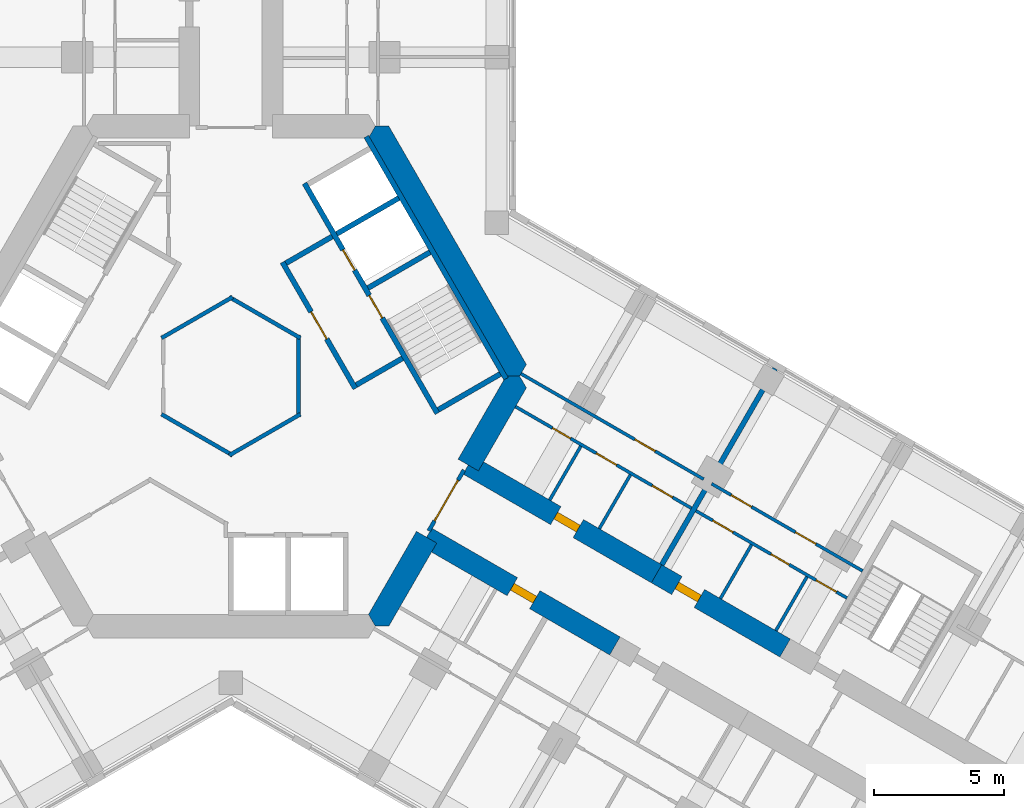
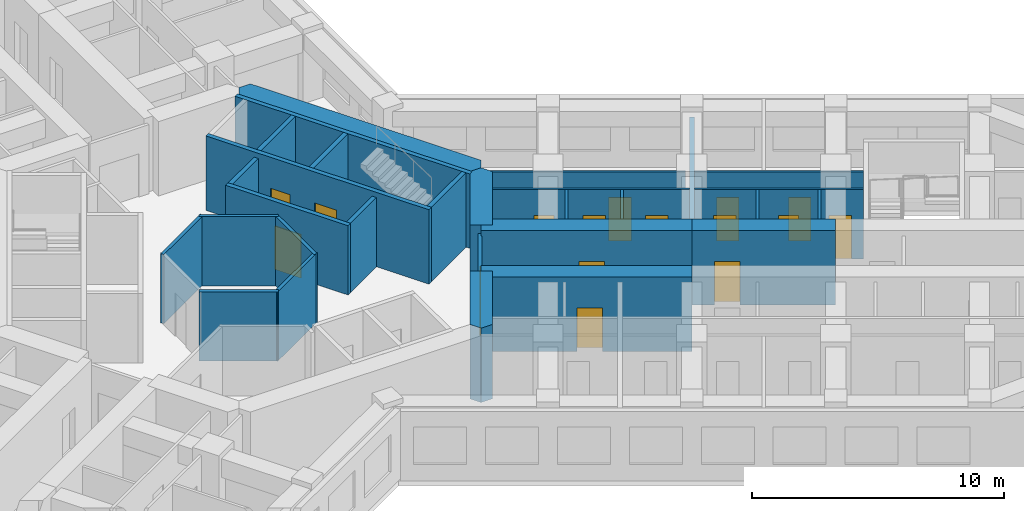
# One storey, part 15 of 19: 29 walls, 16 doors, 16 openings.
"""IFC4 building model written with IfcOpenShell, lengths in metres."""

from ifc_helpers import new_model, si_unit, direction, frame, frame_2d, origin, place, context, subcontext, project, spatial, polyline, rectangle, outline, extrude, material, layer, layer_set, type_object, element, fill, save


model = new_model("IFC4")

# Units and contexts
model_context = context("Model", 3, precision=1e-05, world=origin(), true_north=direction((0.0, 1.0)))
body_context = subcontext(model_context, "Body", "Model", "MODEL_VIEW")
ifc_project = project(units=[si_unit("LENGTHUNIT", "METRE"), si_unit("AREAUNIT", "SQUARE_METRE"), si_unit("VOLUMEUNIT", "CUBIC_METRE"), si_unit("PLANEANGLEUNIT", "RADIAN"), si_unit("MASSUNIT", "GRAM", prefix="KILO")], contexts=[model_context])

# Site, building, storey
site_placement = place(None, origin())
site = spatial("IfcSite", under=ifc_project, at=site_placement, CompositionType="ELEMENT")
building_placement = place(site_placement, origin())
building = spatial("IfcBuilding", under=site, at=building_placement, Name="Kosmar Iwan School Tower", CompositionType="ELEMENT")
storey_placement = place(building_placement, frame((0.0, 0.0, 165.199951171875)))
storey = spatial("IfcBuildingStorey", under=building, at=storey_placement, Name="L41", CompositionType="ELEMENT", Elevation=165.199951171875)

# Walls
ifc_material_1 = material(Name="Gypsum board on steel studs, fire-rated", Category="steel")
ifc_layer_1 = layer(ifc_material_1, 0.14990234375)
ifc_layer_set_1 = layer_set([ifc_layer_1], Name="Core room partition 150")
wall_type_1 = type_object("IfcWallType", Name="Core room partition 150", PredefinedType="PARTITIONING", material=ifc_layer_set_1)
for number, where, z_axis, x_axis, name in (
    (1, (2.6650390625, -1.463623046875, 0.0), (0.0, 0.0, 1.0), (-0.866023080072, -0.500004024767, 0.0), "Core room partition L41-CW8"),
    (2, (0.06494140625, -3.039794921875, 0.0), (0.0, 0.0, 1.0), (-0.866023080072, 0.500004024767, 0.0), "Core room partition L41-CW9"),
    (3, (-2.6650390625, 1.463623046875, 0.0), (0.0, 0.0, 1.0), (0.866023080072, 0.500004024767, 0.0), "Core room partition L41-CW11"),
    (4, (-0.06494140625, 3.039794921875, 0.0), (0.0, 0.0, 1.0), (0.866023080072, -0.500004024767, 0.0), "Core room partition L41-CW12"),
    (5, (2.60009765625, 1.576171875, 0.0), (0.0, 0.0, 1.0), (0.0, -1.0, 0.0), "Core room partition L41-CW13"),
):
    element("IfcWall", number, at=place(storey_placement, frame(where, z_axis=z_axis, x_axis=x_axis)), inside=storey, type_object=wall_type_1, Name=name, PredefinedType="PARTITIONING", context=body_context, shape_type="SweptSolid", body=[
        extrude(rectangle(XDim=3.15234375, YDim=0.14990234375, at=frame_2d((1.576171875, 0.0))), origin(), (0.0, 0.0, 1.0), 3.35009765625),
    ])
ifc_material_2 = material(Name="Concrete C50/60", Category="concrete")
ifc_layer_2 = layer(ifc_material_2, 0.89990234375)
ifc_layer_set_2 = layer_set([ifc_layer_2], Name="Core wall 900")
wall_type_2 = type_object("IfcWallType", Name="Core wall 900", PredefinedType="SHEAR", material=ifc_layer_set_2)
wall_1_placement = place(storey_placement, origin())
element("IfcWall", 6, at=wall_1_placement, inside=storey, type_object=wall_type_2, Name="Core wall F030", PredefinedType="SHEAR", context=body_context, shape_type="SweptSolid", body=[
    extrude(outline(polyline([(10.5654296875, 0.0), (11.085205078125, 0.0), (11.344970703125, 0.449951171875), (6.062255859375, 9.60009765625), (5.54248046875, 9.60009765625), (5.28271484375, 9.14990234375), (10.5654296875, 0.0)])), origin(), (0.0, 0.0, 1.0), 3.60009765625),
])
wall_2_placement = place(storey_placement, origin())
element("IfcWall", 7, at=wall_2_placement, inside=storey, type_object=wall_type_2, Name="Core wall F330a", PredefinedType="SHEAR", context=body_context, shape_type="SweptSolid", body=[
    extrude(outline(polyline([(5.54248046875, -9.60009765625), (6.062255859375, -9.60009765625), (7.903564453125, -6.41064453125), (7.1240234375, -5.960693359375), (5.28271484375, -9.14990234375), (5.54248046875, -9.60009765625)])), origin(), (0.0, 0.0, 1.0), 3.60009765625),
])
wall_3_placement = place(storey_placement, origin())
element("IfcWall", 8, at=wall_3_placement, inside=storey, type_object=wall_type_2, Name="Core wall F330b", PredefinedType="SHEAR", context=body_context, shape_type="SweptSolid", body=[
    extrude(outline(polyline([(9.503662109375, -3.639404296875), (11.344970703125, -0.449951171875), (11.085205078125, 0.0), (10.5654296875, 0.0), (8.72412109375, -3.189453125), (9.503662109375, -3.639404296875)])), origin(), (0.0, 0.0, 1.0), 3.60009765625),
])

# Wall, opening, door
ifc_material_3 = material(Name="Concrete C50/60", Category="concrete")
ifc_layer_3 = layer(ifc_material_3, 0.800048828125)
ifc_layer_set_3 = layer_set([ifc_layer_3], Name="Corridor buttress wall 800")
wall_type_3 = type_object("IfcWallType", Name="Corridor buttress wall 800", PredefinedType="SHEAR", material=ifc_layer_set_3)
wall_4_placement = place(storey_placement, frame((9.11376953125, -3.414306640625, 0.0), z_axis=(0.0, 0.0, 1.0), x_axis=(0.866026859388, -0.499997478812, 0.0)))
wall_4 = element("IfcWall", 9, at=wall_4_placement, inside=storey, type_object=wall_type_3, Name="Corridor wall CL", PredefinedType="SHEAR", context=body_context, shape_type="SweptSolid", body=[
    extrude(rectangle(XDim=8.35009765625, YDim=0.800048828125, at=frame_2d((4.175048828125, 0.0))), origin(), (0.0, 0.0, 1.0), 3.60009765625),
])
opening_1_placement = place(wall_4_placement, frame((3.8798828125, 0.0, 0.0)))
opening_1 = element("IfcOpeningElement", 10, at=opening_1_placement, cuts=wall_4, Name="Opening D1", PredefinedType="OPENING", context=body_context, shape_type="SweptSolid", body=[
    extrude(rectangle(XDim=1.0, YDim=2.10009765625, at=frame_2d((0.5, 1.050048828125))), frame((0.0, 0.412109375, 0.0), z_axis=(0.0, -1.0, 0.0), x_axis=(1.0, 0.0, 0.0)), (0.0, 0.0, 1.0), 0.823974609375),
])
ifc_material_4 = material(Name="Timber fire door in steel frame", Category="steel")
door_type_1 = type_object("IfcDoorType", Name="Flat entrance door 1000x2100", OperationType="SINGLE_SWING_LEFT", PredefinedType="DOOR", material=ifc_material_4)
door_1_placement = place(opening_1_placement, origin())
door_1 = element("IfcDoor", 11, at=door_1_placement, inside=storey, type_object=door_type_1, Name="Flat L41-CL1 entrance door", OperationType="SINGLE_SWING_LEFT", OverallHeight=2.10009765625, OverallWidth=1.0, PredefinedType="DOOR", context=body_context, shape_type="SweptSolid", body=[
    extrude(rectangle(XDim=1.0, YDim=2.10009765625, at=frame_2d((0.5, 1.050048828125))), frame((0.0, 0.14990234375, 0.0), z_axis=(0.0, -1.0, 0.0), x_axis=(1.0, 0.0, 0.0)), (0.0, 0.0, 1.0), 0.300048828125),
])
fill(opening_1, door_1)

wall_5_placement = place(storey_placement, frame((16.34521484375, -7.58935546875, 0.0), z_axis=(0.0, 0.0, 1.0), x_axis=(0.866015111908, -0.50001782563, 0.0)))
wall_5 = element("IfcWall", 12, at=wall_5_placement, inside=storey, type_object=wall_type_3, Name="Corridor wall CL bay 2", PredefinedType="SHEAR", context=body_context, shape_type="SweptSolid", body=[
    extrude(rectangle(XDim=5.699951171875, YDim=0.800048828125, at=frame_2d((2.85009765625, 0.0))), origin(), (0.0, 0.0, 1.0), 3.60009765625),
])
opening_2_placement = place(wall_5_placement, frame((0.89990234375, 0.0, 0.0)))
opening_2 = element("IfcOpeningElement", 13, at=opening_2_placement, cuts=wall_5, Name="Opening D1", PredefinedType="OPENING", context=body_context, shape_type="SweptSolid", body=[
    extrude(rectangle(XDim=1.0, YDim=2.10009765625, at=frame_2d((0.5, 1.050048828125))), frame((0.0, 0.412109375, 0.0), z_axis=(0.0, -1.0, 0.0), x_axis=(1.0, 0.0, 0.0)), (0.0, 0.0, 1.0), 0.823974609375),
])
door_2_placement = place(opening_2_placement, origin())
door_2 = element("IfcDoor", 14, at=door_2_placement, inside=storey, type_object=door_type_1, Name="Flat L41-CL2 entrance door", OperationType="SINGLE_SWING_RIGHT", OverallHeight=2.10009765625, OverallWidth=1.0, PredefinedType="DOOR", context=body_context, shape_type="SweptSolid", body=[
    extrude(rectangle(XDim=1.0, YDim=2.10009765625, at=frame_2d((0.5, 1.050048828125))), frame((0.0, 0.14990234375, 0.0), z_axis=(0.0, -1.0, 0.0), x_axis=(1.0, 0.0, 0.0)), (0.0, 0.0, 1.0), 0.300048828125),
])
fill(opening_2, door_2)

wall_6_placement = place(storey_placement, frame((7.513916015625, -6.185546875, 0.0), z_axis=(0.0, 0.0, 1.0), x_axis=(0.866019549707, -0.500010139422, 0.0)))
wall_6 = element("IfcWall", 15, at=wall_6_placement, inside=storey, type_object=wall_type_3, Name="Corridor wall CR", PredefinedType="SHEAR", context=body_context, shape_type="SweptSolid", body=[
    extrude(rectangle(XDim=8.349853515625, YDim=0.800048828125, at=frame_2d((4.1748046875, 0.0))), origin(), (0.0, 0.0, 1.0), 3.60009765625),
])
opening_3_placement = place(wall_6_placement, frame((3.800048828125, 0.0, 0.0)))
opening_3 = element("IfcOpeningElement", 16, at=opening_3_placement, cuts=wall_6, Name="Opening D1", PredefinedType="OPENING", context=body_context, shape_type="SweptSolid", body=[
    extrude(rectangle(XDim=1.0, YDim=2.10009765625, at=frame_2d((0.5, 1.050048828125))), frame((0.0, 0.412109375, 0.0), z_axis=(0.0, -1.0, 0.0), x_axis=(1.0, 0.0, 0.0)), (0.0, 0.0, 1.0), 0.823974609375),
])
door_3_placement = place(opening_3_placement, origin())
door_3 = element("IfcDoor", 17, at=door_3_placement, inside=storey, type_object=door_type_1, Name="Flat L41-CR1 entrance door", OperationType="SINGLE_SWING_RIGHT", OverallHeight=2.10009765625, OverallWidth=1.0, PredefinedType="DOOR", context=body_context, shape_type="SweptSolid", body=[
    extrude(rectangle(XDim=1.0, YDim=2.10009765625, at=frame_2d((0.5, 1.050048828125))), frame((0.0, 0.14990234375, 0.0), z_axis=(0.0, -1.0, 0.0), x_axis=(1.0, 0.0, 0.0)), (0.0, 0.0, 1.0), 0.300048828125),
])
fill(opening_3, door_3)

ifc_material_5 = material(Name="Steel framed glazed screen", Category="steel")
ifc_layer_4 = layer(ifc_material_5, 0.14990234375)
ifc_layer_set_4 = layer_set([ifc_layer_4], Name="Corridor screen wall 150")
wall_type_4 = type_object("IfcWallType", Name="Corridor screen wall 150", PredefinedType="PARTITIONING", material=ifc_layer_set_4)
wall_7_placement = place(storey_placement, frame((7.595458984375, -5.944091796875, 0.0), z_axis=(0.0, 0.0, 1.0), x_axis=(0.500048589285, 0.86599734893, 0.0)))
wall_7 = element("IfcWall", 18, at=wall_7_placement, inside=storey, type_object=wall_type_4, Name="Corridor screen C L41", PredefinedType="PARTITIONING", context=body_context, shape_type="SweptSolid", body=[
    extrude(rectangle(XDim=2.699951171875, YDim=0.14990234375, at=frame_2d((1.35009765625, 0.0))), origin(), (0.0, 0.0, 1.0), 3.35009765625),
])
opening_4_placement = place(wall_7_placement, frame((0.449951171875, 0.0, 0.0)))
opening_4 = element("IfcOpeningElement", 19, at=opening_4_placement, cuts=wall_7, Name="Opening D9", PredefinedType="OPENING", context=body_context, shape_type="SweptSolid", body=[
    extrude(rectangle(XDim=1.800048828125, YDim=2.10009765625, at=frame_2d((0.89990234375, 1.050048828125))), frame((0.0, 0.0869140625, 0.0), z_axis=(0.0, -1.0, 0.0), x_axis=(1.0, 0.0, 0.0)), (0.0, 0.0, 1.0), 0.173828125),
])
ifc_material_6 = material(Name="Steel framed glazed smoke door", Category="steel")
door_type_2 = type_object("IfcDoorType", Name="Corridor smoke door pair 1800x2100", OperationType="DOUBLE_DOOR_DOUBLE_SWING", PredefinedType="DOOR", material=ifc_material_6)
door_4_placement = place(opening_4_placement, origin())
door_4 = element("IfcDoor", 20, at=door_4_placement, inside=storey, type_object=door_type_2, Name="Corridor doors C L41", OperationType="DOUBLE_DOOR_DOUBLE_SWING", OverallHeight=2.10009765625, OverallWidth=1.800048828125, PredefinedType="DOOR", context=body_context, shape_type="SweptSolid", body=[
    extrude(rectangle(XDim=1.800048828125, YDim=2.10009765625, at=frame_2d((0.89990234375, 1.050048828125))), frame((0.0, 0.02490234375, 0.0), z_axis=(0.0, -1.0, 0.0), x_axis=(1.0, 0.0, 0.0)), (0.0, 0.0, 1.0), 0.050048828125),
])
fill(opening_4, door_4)

# Wall, openings, doors
ifc_material_7 = material(Name="Gypsum board on steel studs", Category="steel")
ifc_layer_5 = layer(ifc_material_7, 0.1201171875)
ifc_layer_set_5 = layer_set([ifc_layer_5], Name="Dwelling partition 120")
wall_type_5 = type_object("IfcWallType", Name="Dwelling partition 120", PredefinedType="PARTITIONING", material=ifc_layer_set_5)
wall_8_placement = place(storey_placement, frame((10.928466796875, -1.171142578125, 0.0), z_axis=(0.0, 0.0, 1.0), x_axis=(0.866021400173, -0.500006934395, 0.0)))
wall_8 = element("IfcWall", 21, at=wall_8_placement, inside=storey, type_object=wall_type_5, Name="Partition L41-CL1-W1", PredefinedType="PARTITIONING", context=body_context, shape_type="SweptSolid", body=[
    extrude(rectangle(XDim=7.80029296875, YDim=0.1201171875, at=frame_2d((3.900146484375, 0.0))), origin(), (0.0, 0.0, 1.0), 3.35009765625),
])
opening_5_placement = place(wall_8_placement, frame((1.639892578125, 0.0, 0.0)))
opening_5 = element("IfcOpeningElement", 22, at=opening_5_placement, cuts=wall_8, Name="Opening D3", PredefinedType="OPENING", context=body_context, shape_type="SweptSolid", body=[
    extrude(rectangle(XDim=0.800048828125, YDim=2.10009765625, at=frame_2d((0.39990234375, 1.050048828125))), frame((0.0, 0.072021484375, 0.0), z_axis=(0.0, -1.0, 0.0), x_axis=(1.0, 0.0, 0.0)), (0.0, 0.0, 1.0), 0.14404296875),
])
opening_6_placement = place(wall_8_placement, frame((3.580078125, 0.0, 0.0)))
opening_6 = element("IfcOpeningElement", 23, at=opening_6_placement, cuts=wall_8, Name="Opening D2", PredefinedType="OPENING", context=body_context, shape_type="SweptSolid", body=[
    extrude(rectangle(XDim=0.89990234375, YDim=2.10009765625, at=frame_2d((0.449951171875, 1.050048828125))), frame((0.0, 0.072021484375, 0.0), z_axis=(0.0, -1.0, 0.0), x_axis=(1.0, 0.0, 0.0)), (0.0, 0.0, 1.0), 0.14404296875),
])
opening_7_placement = place(wall_8_placement, frame((6.06494140625, 0.0, 0.0)))
opening_7 = element("IfcOpeningElement", 24, at=opening_7_placement, cuts=wall_8, Name="Opening D2", PredefinedType="OPENING", context=body_context, shape_type="SweptSolid", body=[
    extrude(rectangle(XDim=0.89990234375, YDim=2.10009765625, at=frame_2d((0.449951171875, 1.050048828125))), frame((0.0, 0.072021484375, 0.0), z_axis=(0.0, -1.0, 0.0), x_axis=(1.0, 0.0, 0.0)), (0.0, 0.0, 1.0), 0.14404296875),
])
ifc_material_8 = material(Name="Timber door in timber frame", Category="wood")
door_type_3 = type_object("IfcDoorType", Name="Internal door 900x2100", OperationType="SINGLE_SWING_LEFT", PredefinedType="DOOR", material=ifc_material_8)
door_5_placement = place(opening_6_placement, origin())
door_5 = element("IfcDoor", 25, at=door_5_placement, inside=storey, type_object=door_type_3, Name="Entrance hall door L41-CL1-S2", OperationType="SINGLE_SWING_RIGHT", OverallHeight=2.10009765625, OverallWidth=0.89990234375, PredefinedType="DOOR", context=body_context, shape_type="SweptSolid", body=[
    extrude(rectangle(XDim=0.89990234375, YDim=2.10009765625, at=frame_2d((0.449951171875, 1.050048828125))), frame((0.0, 0.02490234375, 0.0), z_axis=(0.0, -1.0, 0.0), x_axis=(1.0, 0.0, 0.0)), (0.0, 0.0, 1.0), 0.050048828125),
])
fill(opening_6, door_5)
door_6_placement = place(opening_7_placement, origin())
door_6 = element("IfcDoor", 26, at=door_6_placement, inside=storey, type_object=door_type_3, Name="Pantry door L41-CL1-S3", OperationType="SINGLE_SWING_RIGHT", OverallHeight=2.10009765625, OverallWidth=0.89990234375, PredefinedType="DOOR", context=body_context, shape_type="SweptSolid", body=[
    extrude(rectangle(XDim=0.89990234375, YDim=2.10009765625, at=frame_2d((0.449951171875, 1.050048828125))), frame((0.0, 0.02490234375, 0.0), z_axis=(0.0, -1.0, 0.0), x_axis=(1.0, 0.0, 0.0)), (0.0, 0.0, 1.0), 0.050048828125),
])
fill(opening_7, door_6)
ifc_material_9 = material(Name="Timber door in timber frame", Category="wood")
door_type_4 = type_object("IfcDoorType", Name="Sanitary room door 800x2100", OperationType="SINGLE_SWING_LEFT", PredefinedType="DOOR", material=ifc_material_9)
door_7_placement = place(opening_5_placement, origin())
door_7 = element("IfcDoor", 27, at=door_7_placement, inside=storey, type_object=door_type_4, Name="Bathroom door L41-CL1-S1", OperationType="SINGLE_SWING_LEFT", OverallHeight=2.10009765625, OverallWidth=0.800048828125, PredefinedType="DOOR", context=body_context, shape_type="SweptSolid", body=[
    extrude(rectangle(XDim=0.800048828125, YDim=2.10009765625, at=frame_2d((0.39990234375, 1.050048828125))), frame((0.0, 0.02490234375, 0.0), z_axis=(0.0, -1.0, 0.0), x_axis=(1.0, 0.0, 0.0)), (0.0, 0.0, 1.0), 0.050048828125),
])
fill(opening_5, door_7)

# Wall, opening, door
wall_9_placement = place(storey_placement, frame((11.138916015625, 0.093017578125, 0.0), z_axis=(0.0, 0.0, 1.0), x_axis=(0.866017937352, -0.500012932018, 0.0)))
wall_9 = element("IfcWall", 28, at=wall_9_placement, inside=storey, type_object=wall_type_5, Name="Partition L41-CL1-W2", PredefinedType="PARTITIONING", context=body_context, shape_type="SweptSolid", body=[
    extrude(rectangle(XDim=8.099853515625, YDim=0.1201171875, at=frame_2d((4.0498046875, 0.0))), origin(), (0.0, 0.0, 1.0), 3.35009765625),
])
opening_8_placement = place(wall_9_placement, frame((5.050048828125, 0.0, 0.0)))
opening_8 = element("IfcOpeningElement", 29, at=opening_8_placement, cuts=wall_9, Name="Opening D2", PredefinedType="OPENING", context=body_context, shape_type="SweptSolid", body=[
    extrude(rectangle(XDim=0.89990234375, YDim=2.10009765625, at=frame_2d((0.449951171875, 1.050048828125))), frame((0.0, 0.072021484375, 0.0), z_axis=(0.0, -1.0, 0.0), x_axis=(1.0, 0.0, 0.0)), (0.0, 0.0, 1.0), 0.14404296875),
])
door_8_placement = place(opening_8_placement, origin())
door_8 = element("IfcDoor", 30, at=door_8_placement, inside=storey, type_object=door_type_3, Name="Studio living room door L41-CL1-F2", OperationType="SINGLE_SWING_RIGHT", OverallHeight=2.10009765625, OverallWidth=0.89990234375, PredefinedType="DOOR", context=body_context, shape_type="SweptSolid", body=[
    extrude(rectangle(XDim=0.89990234375, YDim=2.10009765625, at=frame_2d((0.449951171875, 1.050048828125))), frame((0.0, 0.02490234375, 0.0), z_axis=(0.0, -1.0, 0.0), x_axis=(1.0, 0.0, 0.0)), (0.0, 0.0, 1.0), 0.050048828125),
])
fill(opening_8, door_8)

# Walls
for number, where, z_axis, x_axis, name in (
    (31, (12.240966796875, -4.758056640625, 0.0), (0.0, 0.0, 1.0), (0.500017192868, 0.86601547725, 0.0), "Partition L41-CL1-Y1"),
    (32, (14.146240234375, -5.85791015625, 0.0), (0.0, 0.0, 1.0), (0.500017192868, 0.86601547725, 0.0), "Partition L41-CL1-Y2"),
):
    element("IfcWall", number, at=place(storey_placement, frame(where, z_axis=z_axis, x_axis=x_axis)), inside=storey, type_object=wall_type_5, Name=name, PredefinedType="PARTITIONING", context=body_context, shape_type="SweptSolid", body=[
        extrude(rectangle(XDim=2.39013671875, YDim=0.1201171875, at=frame_2d((1.195068359375, 0.0))), origin(), (0.0, 0.0, 1.0), 3.35009765625),
    ])

# Wall, openings, doors
wall_10_placement = place(storey_placement, frame((17.856689453125, -5.171142578125, 0.0), z_axis=(0.0, 0.0, 1.0), x_axis=(0.866023571113, -0.500003174267, 0.0)))
wall_10 = element("IfcWall", 33, at=wall_10_placement, inside=storey, type_object=wall_type_5, Name="Partition L41-CL2-W1", PredefinedType="PARTITIONING", context=body_context, shape_type="SweptSolid", body=[
    extrude(rectangle(XDim=6.7001953125, YDim=0.1201171875, at=frame_2d((3.35009765625, 0.0))), origin(), (0.0, 0.0, 1.0), 3.35009765625),
])
opening_9_placement = place(wall_10_placement, frame((0.75, 0.0, 0.0)))
opening_9 = element("IfcOpeningElement", 34, at=opening_9_placement, cuts=wall_10, Name="Opening D2", PredefinedType="OPENING", context=body_context, shape_type="SweptSolid", body=[
    extrude(rectangle(XDim=0.89990234375, YDim=2.10009765625, at=frame_2d((0.449951171875, 1.050048828125))), frame((0.0, 0.072021484375, 0.0), z_axis=(0.0, -1.0, 0.0), x_axis=(1.0, 0.0, 0.0)), (0.0, 0.0, 1.0), 0.14404296875),
])
opening_10_placement = place(wall_10_placement, frame((3.330078125, 0.0, 0.0)))
opening_10 = element("IfcOpeningElement", 35, at=opening_10_placement, cuts=wall_10, Name="Opening D3", PredefinedType="OPENING", context=body_context, shape_type="SweptSolid", body=[
    extrude(rectangle(XDim=0.800048828125, YDim=2.10009765625, at=frame_2d((0.39990234375, 1.050048828125))), frame((0.0, 0.072021484375, 0.0), z_axis=(0.0, -1.0, 0.0), x_axis=(1.0, 0.0, 0.0)), (0.0, 0.0, 1.0), 0.14404296875),
])
opening_11_placement = place(wall_10_placement, frame((5.330078125, 0.0, 0.0)))
opening_11 = element("IfcOpeningElement", 36, at=opening_11_placement, cuts=wall_10, Name="Opening D2", PredefinedType="OPENING", context=body_context, shape_type="SweptSolid", body=[
    extrude(rectangle(XDim=0.89990234375, YDim=2.10009765625, at=frame_2d((0.449951171875, 1.050048828125))), frame((0.0, 0.072021484375, 0.0), z_axis=(0.0, -1.0, 0.0), x_axis=(1.0, 0.0, 0.0)), (0.0, 0.0, 1.0), 0.14404296875),
])
door_9_placement = place(opening_9_placement, origin())
door_9 = element("IfcDoor", 37, at=door_9_placement, inside=storey, type_object=door_type_3, Name="Entrance hall door L41-CL2-S1", OperationType="SINGLE_SWING_LEFT", OverallHeight=2.10009765625, OverallWidth=0.89990234375, PredefinedType="DOOR", context=body_context, shape_type="SweptSolid", body=[
    extrude(rectangle(XDim=0.89990234375, YDim=2.10009765625, at=frame_2d((0.449951171875, 1.050048828125))), frame((0.0, 0.02490234375, 0.0), z_axis=(0.0, -1.0, 0.0), x_axis=(1.0, 0.0, 0.0)), (0.0, 0.0, 1.0), 0.050048828125),
])
fill(opening_9, door_9)
door_10_placement = place(opening_11_placement, frame((0.89990234375, 0.0, 0.0), z_axis=(0.0, 0.0, 1.0), x_axis=(-1.0, 0.0, 0.0)))
door_10 = element("IfcDoor", 38, at=door_10_placement, inside=storey, type_object=door_type_3, Name="Pantry door L41-CL2-S3", OperationType="SINGLE_SWING_LEFT", OverallHeight=2.10009765625, OverallWidth=0.89990234375, PredefinedType="DOOR", context=body_context, shape_type="SweptSolid", body=[
    extrude(rectangle(XDim=0.89990234375, YDim=2.10009765625, at=frame_2d((0.449951171875, 1.050048828125))), frame((0.0, 0.02490234375, 0.0), z_axis=(0.0, -1.0, 0.0), x_axis=(1.0, 0.0, 0.0)), (0.0, 0.0, 1.0), 0.050048828125),
])
fill(opening_11, door_10)
door_11_placement = place(opening_10_placement, origin())
door_11 = element("IfcDoor", 39, at=door_11_placement, inside=storey, type_object=door_type_4, Name="Bathroom door L41-CL2-S2", OperationType="SINGLE_SWING_RIGHT", OverallHeight=2.10009765625, OverallWidth=0.800048828125, PredefinedType="DOOR", context=body_context, shape_type="SweptSolid", body=[
    extrude(rectangle(XDim=0.800048828125, YDim=2.10009765625, at=frame_2d((0.39990234375, 1.050048828125))), frame((0.0, 0.02490234375, 0.0), z_axis=(0.0, -1.0, 0.0), x_axis=(1.0, 0.0, 0.0)), (0.0, 0.0, 1.0), 0.050048828125),
])
fill(opening_10, door_11)

wall_11_placement = place(storey_placement, frame((18.456787109375, -4.1318359375, 0.0), z_axis=(0.0, 0.0, 1.0), x_axis=(0.866014461049, -0.500018952895, 0.0)))
wall_11 = element("IfcWall", 40, at=wall_11_placement, inside=storey, type_object=wall_type_5, Name="Partition L41-CL2-W2", PredefinedType="PARTITIONING", context=body_context, shape_type="SweptSolid", body=[
    extrude(rectangle(XDim=6.699951171875, YDim=0.1201171875, at=frame_2d((3.35009765625, 0.0))), origin(), (0.0, 0.0, 1.0), 3.35009765625),
])
opening_12_placement = place(wall_11_placement, frame((0.875, 0.0, 0.0)))
opening_12 = element("IfcOpeningElement", 41, at=opening_12_placement, cuts=wall_11, Name="Opening D2", PredefinedType="OPENING", context=body_context, shape_type="SweptSolid", body=[
    extrude(rectangle(XDim=0.89990234375, YDim=2.10009765625, at=frame_2d((0.449951171875, 1.050048828125))), frame((0.0, 0.072021484375, 0.0), z_axis=(0.0, -1.0, 0.0), x_axis=(1.0, 0.0, 0.0)), (0.0, 0.0, 1.0), 0.14404296875),
])
opening_13_placement = place(wall_11_placement, frame((3.72509765625, 0.0, 0.0)))
opening_13 = element("IfcOpeningElement", 42, at=opening_13_placement, cuts=wall_11, Name="Opening D2", PredefinedType="OPENING", context=body_context, shape_type="SweptSolid", body=[
    extrude(rectangle(XDim=0.89990234375, YDim=2.10009765625, at=frame_2d((0.449951171875, 1.050048828125))), frame((0.0, 0.072021484375, 0.0), z_axis=(0.0, -1.0, 0.0), x_axis=(1.0, 0.0, 0.0)), (0.0, 0.0, 1.0), 0.14404296875),
])
door_12_placement = place(opening_12_placement, origin())
door_12 = element("IfcDoor", 43, at=door_12_placement, inside=storey, type_object=door_type_3, Name="Family room and kitchen door L41-CL2-F1", OperationType="SINGLE_SWING_RIGHT", OverallHeight=2.10009765625, OverallWidth=0.89990234375, PredefinedType="DOOR", context=body_context, shape_type="SweptSolid", body=[
    extrude(rectangle(XDim=0.89990234375, YDim=2.10009765625, at=frame_2d((0.449951171875, 1.050048828125))), frame((0.0, 0.02490234375, 0.0), z_axis=(0.0, -1.0, 0.0), x_axis=(1.0, 0.0, 0.0)), (0.0, 0.0, 1.0), 0.050048828125),
])
fill(opening_12, door_12)
door_13_placement = place(opening_13_placement, origin())
door_13 = element("IfcDoor", 44, at=door_13_placement, inside=storey, type_object=door_type_3, Name="Bedroom 1 door L41-CL2-F2", OperationType="SINGLE_SWING_LEFT", OverallHeight=2.10009765625, OverallWidth=0.89990234375, PredefinedType="DOOR", context=body_context, shape_type="SweptSolid", body=[
    extrude(rectangle(XDim=0.89990234375, YDim=2.10009765625, at=frame_2d((0.449951171875, 1.050048828125))), frame((0.0, 0.02490234375, 0.0), z_axis=(0.0, -1.0, 0.0), x_axis=(1.0, 0.0, 0.0)), (0.0, 0.0, 1.0), 0.050048828125),
])
fill(opening_13, door_13)

# Walls
for number, where, z_axis, x_axis, name in (
    (45, (18.796875, -8.54296875, 0.0), (0.0, 0.0, 1.0), (0.500017192868, 0.86601547725, 0.0), "Partition L41-CL2-Y1"),
    (46, (20.92724609375, -9.77294921875, 0.0), (0.0, 0.0, 1.0), (0.500017192868, 0.86601547725, 0.0), "Partition L41-CL2-Y2"),
):
    element("IfcWall", number, at=place(storey_placement, frame(where, z_axis=z_axis, x_axis=x_axis)), inside=storey, type_object=wall_type_5, Name=name, PredefinedType="PARTITIONING", context=body_context, shape_type="SweptSolid", body=[
        extrude(rectangle(XDim=2.39013671875, YDim=0.1201171875, at=frame_2d((1.195068359375, 0.0))), origin(), (0.0, 0.0, 1.0), 3.35009765625),
    ])

# Wall, opening, door
ifc_material_10 = material(Name="Concrete block masonry", Category="masonry")
ifc_layer_6 = layer(ifc_material_10, 0.199951171875)
ifc_layer_set_6 = layer_set([ifc_layer_6], Name="Fire lobby wall 200")
wall_type_6 = type_object("IfcWallType", Name="Fire lobby wall 200", PredefinedType="PARTITIONING", material=ifc_layer_set_6)
wall_12_placement = place(storey_placement, frame((4.777587890625, -0.474853515625, 0.0), z_axis=(0.0, 0.0, 1.0), x_axis=(-0.500016814911, 0.866015695474, 0.0)))
wall_12 = element("IfcWall", 47, at=wall_12_placement, inside=storey, type_object=wall_type_6, Name="Firefighting lobby wall ST1", PredefinedType="PARTITIONING", context=body_context, shape_type="SweptSolid", body=[
    extrude(rectangle(XDim=5.599853515625, YDim=0.199951171875, at=frame_2d((2.7998046875, 0.0))), origin(), (0.0, 0.0, 1.0), 3.35009765625),
])
opening_14_placement = place(wall_12_placement, frame((2.199951171875, 0.0, 0.0)))
opening_14 = element("IfcOpeningElement", 48, at=opening_14_placement, cuts=wall_12, Name="Opening D7", PredefinedType="OPENING", context=body_context, shape_type="SweptSolid", body=[
    extrude(rectangle(XDim=1.199951171875, YDim=2.10009765625, at=frame_2d((0.60009765625, 1.050048828125))), frame((0.0, 0.112060546875, 0.0), z_axis=(0.0, -1.0, 0.0), x_axis=(1.0, 0.0, 0.0)), (0.0, 0.0, 1.0), 0.223876953125),
])
ifc_material_11 = material(Name="Steel fire door", Category="steel")
door_type_5 = type_object("IfcDoorType", Name="Fire lobby door 1200x2100", OperationType="SINGLE_SWING_LEFT", PredefinedType="DOOR", material=ifc_material_11)
door_14_placement = place(opening_14_placement, frame((1.199951171875, 0.0, 0.0), z_axis=(0.0, 0.0, 1.0), x_axis=(-1.0, 0.0, 0.0)))
door_14 = element("IfcDoor", 49, at=door_14_placement, inside=storey, type_object=door_type_5, Name="Firefighting lobby door ST1 L41", OperationType="SINGLE_SWING_RIGHT", OverallHeight=2.10009765625, OverallWidth=1.199951171875, PredefinedType="DOOR", context=body_context, shape_type="SweptSolid", body=[
    extrude(rectangle(XDim=1.199951171875, YDim=2.10009765625, at=frame_2d((0.60009765625, 1.050048828125))), frame((0.0, 0.02490234375, 0.0), z_axis=(0.0, -1.0, 0.0), x_axis=(1.0, 0.0, 0.0)), (0.0, 0.0, 1.0), 0.050048828125),
])
fill(opening_14, door_14)

# Walls
wall_13_placement = place(storey_placement, frame((4.814208984375, -0.33837890625, 0.0), z_axis=(0.0, 0.0, 1.0), x_axis=(0.865969381856, 0.500097020274, 0.0)))
element("IfcWall", 50, at=wall_13_placement, inside=storey, type_object=wall_type_6, Name="Firefighting lobby wall ST1", PredefinedType="PARTITIONING", context=body_context, shape_type="SweptSolid", body=[
    extrude(rectangle(XDim=2.0498046875, YDim=0.199951171875, at=frame_2d((1.02490234375, 0.0))), origin(), (0.0, 0.0, 1.0), 3.35009765625),
])
wall_14_placement = place(storey_placement, frame((2.114013671875, 4.33837890625, 0.0), z_axis=(0.0, 0.0, 1.0), x_axis=(0.866050731258, 0.499956128963, 0.0)))
element("IfcWall", 51, at=wall_14_placement, inside=storey, type_object=wall_type_6, Name="Firefighting lobby wall ST1", PredefinedType="PARTITIONING", context=body_context, shape_type="SweptSolid", body=[
    extrude(rectangle(XDim=2.050048828125, YDim=0.199951171875, at=frame_2d((1.02490234375, 0.0))), origin(), (0.0, 0.0, 1.0), 3.35009765625),
])

# Wall, openings, doors
ifc_material_12 = material(Name="Concrete C50/60", Category="concrete")
ifc_layer_7 = layer(ifc_material_12, 0.199951171875)
ifc_layer_set_7 = layer_set([ifc_layer_7], Name="Lift shaft wall 200")
wall_type_7 = type_object("IfcWallType", Name="Lift shaft wall 200", PredefinedType="SHEAR", material=ifc_layer_set_7)
wall_15_placement = place(storey_placement, frame((7.926025390625, -1.42822265625, 0.0), z_axis=(0.0, 0.0, 1.0), x_axis=(-0.499998023675, 0.866026544813, 0.0)))
wall_15 = element("IfcWall", 52, at=wall_15_placement, inside=storey, type_object=wall_type_7, Name="Lift and stair front wall AC", PredefinedType="SHEAR", context=body_context, shape_type="SweptSolid", body=[
    extrude(rectangle(XDim=10.19970703125, YDim=0.199951171875, at=frame_2d((5.099853515625, 0.0))), origin(), (0.0, 0.0, 1.0), 3.60009765625),
])
opening_15_placement = place(wall_15_placement, frame((6.35009765625, 0.0, 0.0)))
opening_15 = element("IfcOpeningElement", 53, at=opening_15_placement, cuts=wall_15, Name="Opening LD2", PredefinedType="OPENING", context=body_context, shape_type="SweptSolid", body=[
    extrude(rectangle(XDim=0.89990234375, YDim=2.10009765625, at=frame_2d((0.449951171875, 1.050048828125))), frame((0.0, 0.112060546875, 0.0), z_axis=(0.0, -1.0, 0.0), x_axis=(1.0, 0.0, 0.0)), (0.0, 0.0, 1.0), 0.223876953125),
])
opening_16_placement = place(wall_15_placement, frame((4.22998046875, 0.0, 0.0)))
opening_16 = element("IfcOpeningElement", 54, at=opening_16_placement, cuts=wall_15, Name="Opening D6", PredefinedType="OPENING", context=body_context, shape_type="SweptSolid", body=[
    extrude(rectangle(XDim=1.0, YDim=2.10009765625, at=frame_2d((0.5, 1.050048828125))), frame((0.0, 0.112060546875, 0.0), z_axis=(0.0, -1.0, 0.0), x_axis=(1.0, 0.0, 0.0)), (0.0, 0.0, 1.0), 0.223876953125),
])
ifc_material_13 = material(Name="Stainless steel sliding lift door", Category="steel")
door_type_6 = type_object("IfcDoorType", Name="Firefighting lift landing door 900x2100", OperationType="SLIDING_TO_LEFT", PredefinedType="DOOR", material=ifc_material_13)
door_15_placement = place(opening_15_placement, origin())
door_15 = element("IfcDoor", 55, at=door_15_placement, inside=storey, type_object=door_type_6, Name="Lift FF1 landing door L41", OperationType="SLIDING_TO_LEFT", OverallHeight=2.10009765625, OverallWidth=0.89990234375, PredefinedType="DOOR", context=body_context, shape_type="SweptSolid", body=[
    extrude(rectangle(XDim=0.89990234375, YDim=2.10009765625, at=frame_2d((0.449951171875, 1.050048828125))), frame((0.0, 0.02490234375, 0.0), z_axis=(0.0, -1.0, 0.0), x_axis=(1.0, 0.0, 0.0)), (0.0, 0.0, 1.0), 0.050048828125),
])
fill(opening_15, door_15)
ifc_material_14 = material(Name="Steel fire door", Category="steel")
door_type_7 = type_object("IfcDoorType", Name="Stair door 1000x2100", OperationType="SINGLE_SWING_LEFT", PredefinedType="DOOR", material=ifc_material_14)
door_16_placement = place(opening_16_placement, origin())
door_16 = element("IfcDoor", 56, at=door_16_placement, inside=storey, type_object=door_type_7, Name="Stair ST1 door L41", OperationType="SINGLE_SWING_LEFT", OverallHeight=2.10009765625, OverallWidth=1.0, PredefinedType="DOOR", context=body_context, shape_type="SweptSolid", body=[
    extrude(rectangle(XDim=1.0, YDim=2.10009765625, at=frame_2d((0.5, 1.050048828125))), frame((0.0, 0.02490234375, 0.0), z_axis=(0.0, -1.0, 0.0), x_axis=(1.0, 0.0, 0.0)), (0.0, 0.0, 1.0), 0.050048828125),
])
fill(opening_16, door_16)

# Walls
wall_16_placement = place(storey_placement, frame((10.5654296875, -0.10009765625, 0.0), z_axis=(0.0, 0.0, 1.0), x_axis=(-0.499999935134, 0.866025441235, 0.0)))
element("IfcWall", 57, at=wall_16_placement, inside=storey, type_object=wall_type_7, Name="Lift and stair back wall AC", PredefinedType="SHEAR", context=body_context, shape_type="SweptSolid", body=[
    extrude(rectangle(XDim=10.73876953125, YDim=0.199951171875, at=frame_2d((5.369384765625, 0.0))), origin(), (0.0, 0.0, 1.0), 3.60009765625),
])
wall_17_placement = place(storey_placement, frame((4.062744140625, 5.46337890625, 0.0), z_axis=(0.0, 0.0, 1.0), x_axis=(0.866027397988, 0.499996545922, 0.0)))
element("IfcWall", 58, at=wall_17_placement, inside=storey, type_object=wall_type_7, Name="Lift shaft wall AC 1", PredefinedType="SHEAR", context=body_context, shape_type="SweptSolid", body=[
    extrude(rectangle(XDim=2.75, YDim=0.199951171875, at=frame_2d((1.375, 0.0))), origin(), (0.0, 0.0, 1.0), 3.60009765625),
])
ifc_material_15 = material(Name="Concrete block masonry", Category="masonry")
ifc_layer_8 = layer(ifc_material_15, 0.199951171875)
ifc_layer_set_8 = layer_set([ifc_layer_8], Name="Party wall 200")
wall_type_8 = type_object("IfcWallType", Name="Party wall 200", PredefinedType="PARTITIONING", material=ifc_layer_set_8)
wall_18_placement = place(storey_placement, frame((16.545166015625, -7.242919921875, 0.0), z_axis=(0.0, 0.0, 1.0), x_axis=(0.500008278454, 0.866020624164, 0.0)))
element("IfcWall", 59, at=wall_18_placement, inside=storey, type_object=wall_type_8, Name="Partition L41-CL2-PW", PredefinedType="PARTITIONING", context=body_context, shape_type="SweptSolid", body=[
    extrude(rectangle(XDim=8.699951171875, YDim=0.199951171875, at=frame_2d((4.35009765625, 0.0))), origin(), (0.0, 0.0, 1.0), 2.449951171875),
])
ifc_material_16 = material(Name="Concrete C50/60", Category="concrete")
ifc_layer_9 = layer(ifc_material_16, 0.199951171875)
ifc_layer_set_9 = layer_set([ifc_layer_9], Name="Stair enclosure wall 200")
wall_type_9 = type_object("IfcWallType", Name="Stair enclosure wall 200", PredefinedType="SHEAR", material=ifc_layer_set_9)
for number, where, z_axis, x_axis, name in (
    (60, (7.962646484375, -1.291748046875, 0.0), (0.0, 0.0, 1.0), (0.866027397988, 0.499996545922, 0.0), "Stair ST1 wall"),
    (61, (5.2626953125, 3.384765625, 0.0), (0.0, 0.0, 1.0), (0.866027397988, 0.499996545922, 0.0), "Stair ST1 wall"),
):
    element("IfcWall", number, at=place(storey_placement, frame(where, z_axis=z_axis, x_axis=x_axis)), inside=storey, type_object=wall_type_9, Name=name, PredefinedType="SHEAR", context=body_context, shape_type="SweptSolid", body=[
        extrude(rectangle(XDim=2.75, YDim=0.199951171875, at=frame_2d((1.375, 0.0))), origin(), (0.0, 0.0, 1.0), 3.60009765625),
    ])

save(model, "model.ifc")
